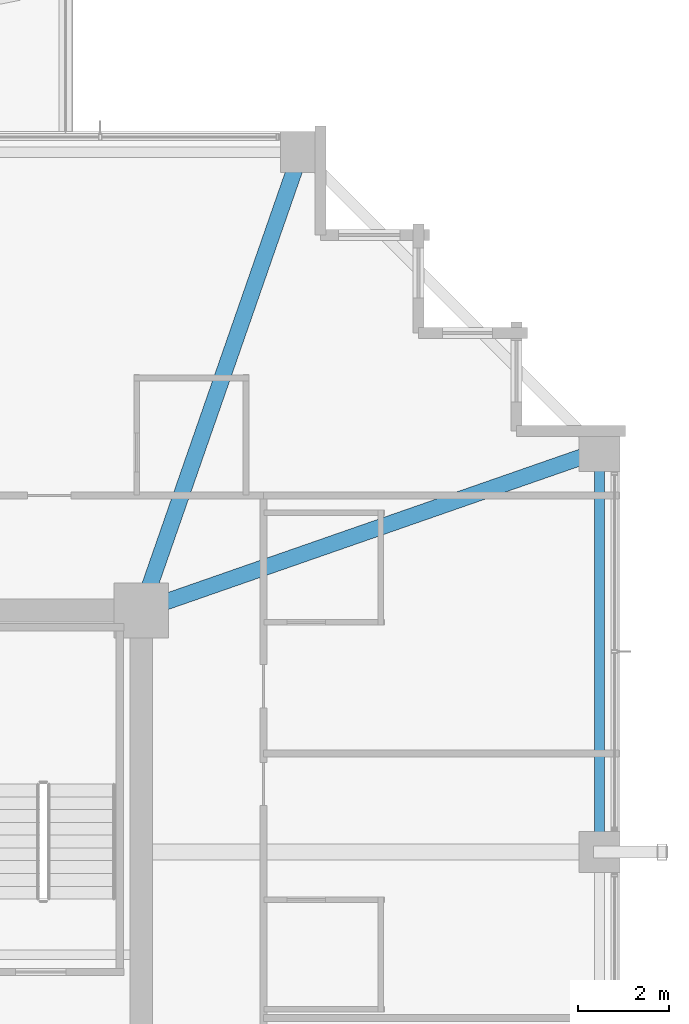
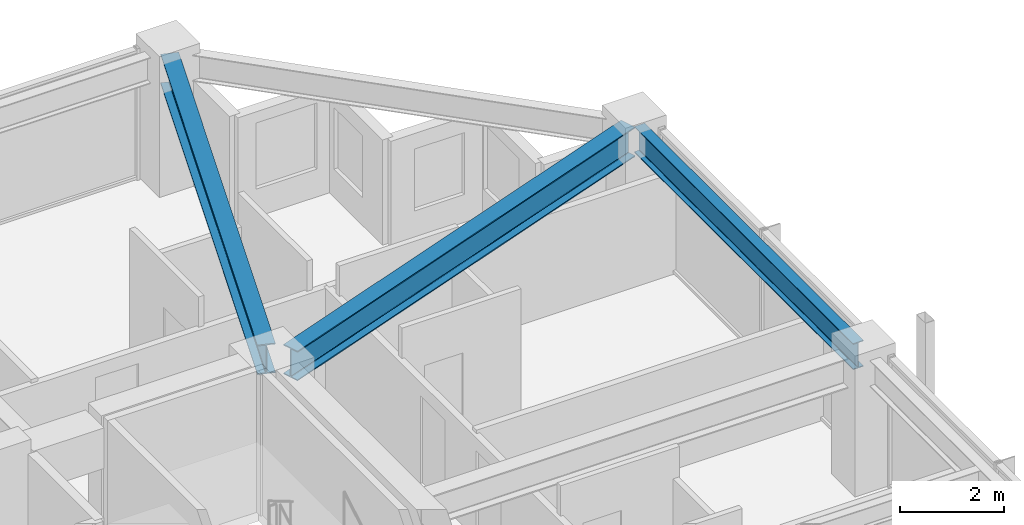
# One storey, part 22 of 37: 3 beams.
"""IFC4 building model written with IfcOpenShell, lengths in metres."""

from ifc_helpers import new_model, si_unit, direction, frame, origin, origin_2d, place, context, subcontext, project, spatial, i_section, extrude, material, material_profile, profile_set, type_object, element, save


model = new_model("IFC4")

# Units and contexts
model_context = context("Model", 3, precision=1e-05, world=origin(), true_north=direction((0.0, 1.0)))
body_context = subcontext(model_context, "Body", "Model", "MODEL_VIEW")
ifc_project = project(units=[si_unit("LENGTHUNIT", "METRE"), si_unit("AREAUNIT", "SQUARE_METRE"), si_unit("VOLUMEUNIT", "CUBIC_METRE"), si_unit("PLANEANGLEUNIT", "RADIAN"), si_unit("MASSUNIT", "GRAM", prefix="KILO")], contexts=[model_context])

# Site, building, storey
site_placement = place(None, origin())
site = spatial("IfcSite", under=ifc_project, at=site_placement, CompositionType="ELEMENT")
building_placement = place(site_placement, origin())
building = spatial("IfcBuilding", under=site, at=building_placement, Name="Kolvaren Belvedere", CompositionType="ELEMENT")
storey_placement = place(building_placement, frame((0.0, 0.0, 180.0)))
storey = spatial("IfcBuildingStorey", under=building, at=storey_placement, Name="L52", CompositionType="ELEMENT", Elevation=180.0)

# Beams
ifc_material_1 = material(Name="Structural steel ASTM A992 Grade 50", Category="steel")
ifc_material_profile_1 = material_profile(ifc_material_1, i_section(OverallWidth=0.35498046875, OverallDepth=0.696044921875, WebThickness=0.015380859375, FlangeThickness=0.02490234375, FilletRadius=0.02197265625, at=origin_2d()), Name="W27X146")
ifc_profile_set_1 = profile_set([ifc_material_profile_1], Name="Structural steel ASTM A992 Grade 50")
beam_type_1 = type_object("IfcBeamType", Name="BM-GIRD-W27X146", PredefinedType="BEAM", material=ifc_profile_set_1)
for number, where, z_axis, x_axis, name in (
    (1, (10.080810546875, 10.41943359375, 2.73193359375), (0.328894130701, 0.944366798861, 0.0), (-0.944366798861, 0.328894130701, 0.0), "L52 Corner Core-to-Perimeter Girder CC3-N4"),
    (2, (10.41943359375, 10.080810546875, 2.73193359375), (0.944366798861, 0.328894130701, 0.0), (-0.328894130701, 0.944366798861, 0.0), "L52 Corner Core-to-Perimeter Girder CC3-E4"),
):
    element("IfcBeam", number, at=place(storey_placement, frame(where, z_axis=z_axis, x_axis=x_axis)), inside=storey, type_object=beam_type_1, Name=name, PredefinedType="BEAM", context=body_context, shape_type="SweptSolid", body=[
        extrude(i_section(OverallWidth=0.35498046875, OverallDepth=0.696044921875, WebThickness=0.015380859375, FlangeThickness=0.02490234375, FilletRadius=0.02197265625, at=origin_2d()), origin(), (0.0, 0.0, 1.0), 9.912109375),
    ])
ifc_material_2 = material(Name="Structural steel ASTM A992 Grade 50", Category="steel")
ifc_material_profile_2 = material_profile(ifc_material_2, i_section(OverallWidth=0.22900390625, OverallDepth=0.612060546875, WebThickness=0.011962890625, FlangeThickness=0.01953125, FilletRadius=0.01806640625, at=origin_2d()), Name="W24X84")
ifc_profile_set_2 = profile_set([ifc_material_profile_2], Name="Structural steel ASTM A992 Grade 50")
beam_type_2 = type_object("IfcBeamType", Name="BM-SPAN-W24X84", PredefinedType="SPANDREL", material=ifc_profile_set_2)
beam_placement = place(storey_placement, frame((19.949951171875, 4.802490234375, 2.77392578125), z_axis=(0.0, 1.0, 0.0), x_axis=(-1.0, 0.0, 0.0)))
element("IfcBeam", 3, at=beam_placement, inside=storey, type_object=beam_type_2, Name="L52 Perimeter Spandrel E3-E4", PredefinedType="SPANDREL", context=body_context, shape_type="SweptSolid", body=[
    extrude(i_section(OverallWidth=0.22900390625, OverallDepth=0.612060546875, WebThickness=0.011962890625, FlangeThickness=0.01953125, FilletRadius=0.01806640625, at=origin_2d()), origin(), (0.0, 0.0, 1.0), 8.39501953125),
])

save(model, "model.ifc")
